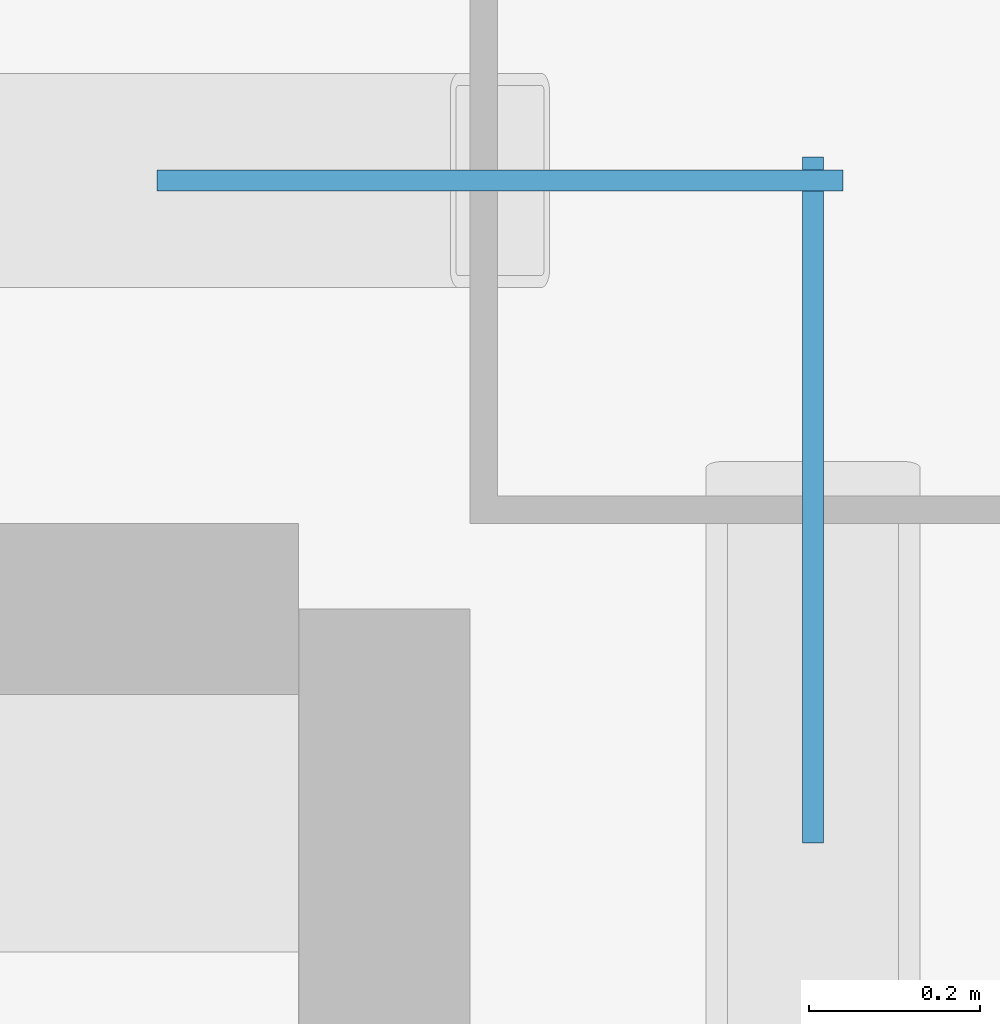
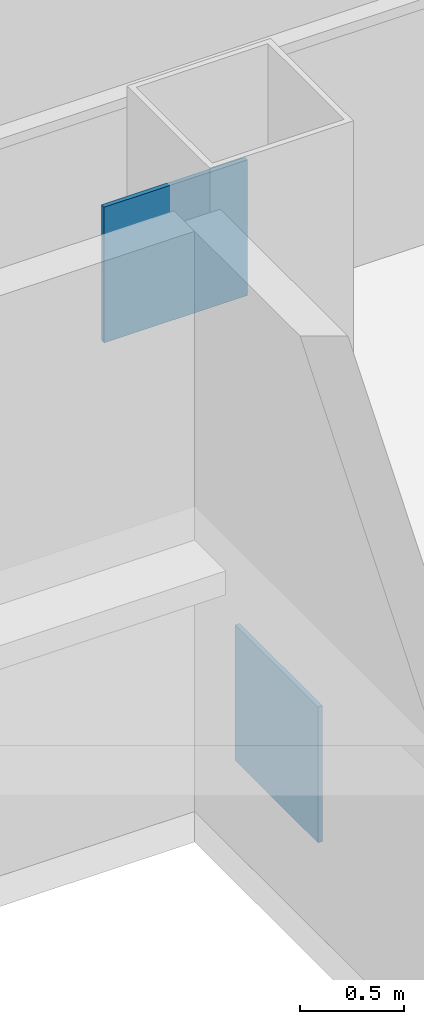
# One storey, part 26 of 30: 2 discrete accessories.
"""IFC4 building model written with IfcOpenShell, lengths in metres."""

from ifc_helpers import new_model, si_unit, direction, frame, origin, origin_2d, place, context, subcontext, project, spatial, rectangle, extrude, material, layer, layer_set, type_object, element, save


model = new_model("IFC4")

# Units and contexts
model_context = context("Model", 3, precision=1e-05, world=origin(), true_north=direction((0.0, 1.0)))
body_context = subcontext(model_context, "Body", "Model", "MODEL_VIEW")
ifc_project = project(units=[si_unit("LENGTHUNIT", "METRE"), si_unit("AREAUNIT", "SQUARE_METRE"), si_unit("VOLUMEUNIT", "CUBIC_METRE"), si_unit("PLANEANGLEUNIT", "RADIAN"), si_unit("MASSUNIT", "GRAM", prefix="KILO")], contexts=[model_context])

# Site, building, storey
site_placement = place(None, origin())
site = spatial("IfcSite", under=ifc_project, at=site_placement, CompositionType="ELEMENT")
building_placement = place(site_placement, origin())
building = spatial("IfcBuilding", under=site, at=building_placement, Name="Sorahane Residences", CompositionType="ELEMENT")
storey_placement = place(building_placement, frame((0.0, 0.0, 263.0)))
storey = spatial("IfcBuildingStorey", under=building, at=storey_placement, Name="L62", CompositionType="ELEMENT", Elevation=263.0)

# Discrete accessories
ifc_material = material(Name="Steel Q355B", Category="steel")
ifc_layer = layer(ifc_material, 0.02490234375)
ifc_layer_set = layer_set([ifc_layer], Name="Node plate Steel Q355B 25")
discrete_accessory_type = type_object("IfcDiscreteAccessoryType", Name="Node plate Steel Q355B 25", PredefinedType="BRACKET", material=ifc_layer_set)
for number, where, z_axis, x_axis, name in (
    (1, (42.0, 45.227294921875, -0.28564453125), (0.0, 0.0, 1.0), (0.0, 1.0, 0.0), "Node plate L62 br"),
    (2, (41.634765625, 45.60009765625, 2.46337890625), (0.0, 0.0, 1.0), (1.0, 0.0, 0.0), "Node plate L62 br"),
):
    element("IfcDiscreteAccessory", number, at=place(storey_placement, frame(where, z_axis=z_axis, x_axis=x_axis)), inside=storey, type_object=discrete_accessory_type, Name=name, PredefinedType="BRACKET", context=body_context, shape_type="SweptSolid", body=[
        extrude(rectangle(XDim=0.800048828125, YDim=0.02490234375, at=origin_2d()), origin(), (0.0, 0.0, 1.0), 0.800048828125),
    ])

save(model, "model.ifc")
